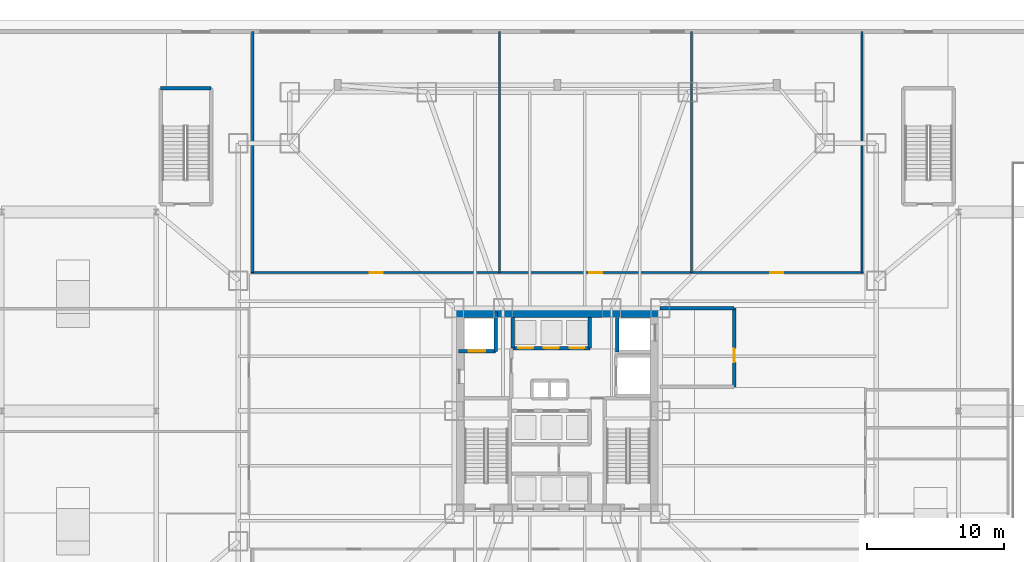
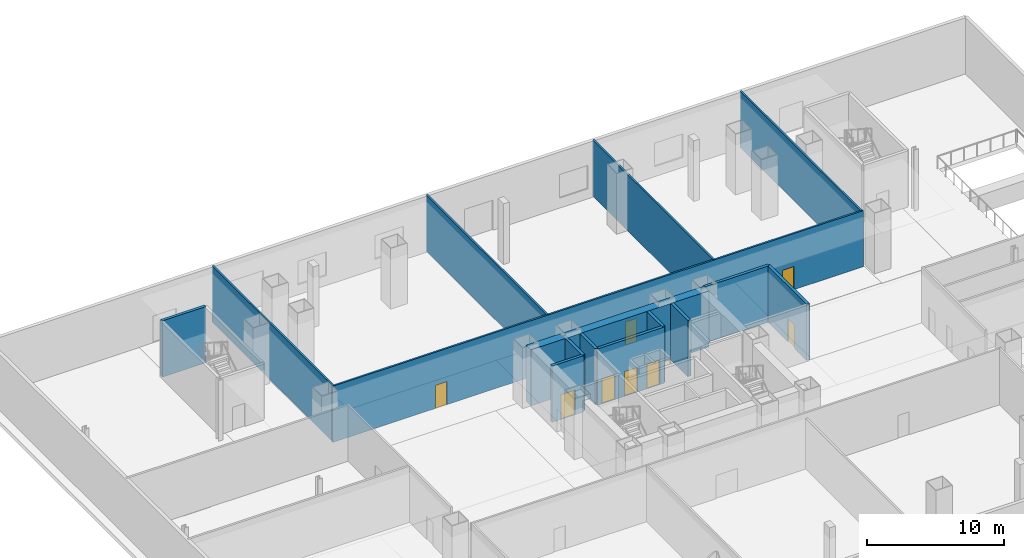
# One storey, part 9 of 24: 15 walls, 8 doors, 8 openings.
"""IFC4 building model written with IfcOpenShell, lengths in metres."""

import ifcopenshell
import ifcopenshell.guid

model = None  # the IFC model being written
_history = None  # IfcOwnerHistory: only IFC2X3 demands one
_inside = {}  # id of a spatial element -> (the spatial element, [elements in it])
_under = {}  # id of a project, library or spatial element -> (it, [spatial elements below it])
_declared = {}  # id of a project -> (the project, [libraries it declares])
_typed = {}  # id of a type object -> (the type object, [elements of that type])
_made_of = {}  # id of a material, layer set ... -> (it, [elements and type objects made of it])


def new_model(schema):
    """Start an empty IFC model of exactly this schema.

    Asked for "IFC4X3", IfcOpenShell would pick the latest addendum, in which some entities
    have other attributes; the version numbers below select the first issue.
    IFC2X3 requires an IfcOwnerHistory on every rooted entity: one is made here for all.
    """
    global model, _history
    if schema == "IFC4X3":
        model = ifcopenshell.file(schema_version=(4, 3, 0, 0))
    else:
        model = ifcopenshell.file(schema=schema)
    _inside.clear()
    _under.clear()
    _declared.clear()
    _typed.clear()
    _made_of.clear()
    _history = None
    if model.schema == "IFC2X3":
        org = make("IfcOrganization", Name="unknown")
        user = make(
            "IfcPersonAndOrganization",
            ThePerson=make("IfcPerson", FamilyName="unknown"),
            TheOrganization=org,
        )
        app = make(
            "IfcApplication",
            ApplicationDeveloper=org,
            Version="unknown",
            ApplicationFullName="unknown",
            ApplicationIdentifier="unknown",
        )
        _history = make(
            "IfcOwnerHistory",
            OwningUser=user,
            OwningApplication=app,
            ChangeAction="ADDED",
            CreationDate=0,
        )
    return model


def make(cls, **values):
    """One entity of the class cls with the attributes given. An attribute that is None is left unset."""
    return model.create_entity(
        cls, **{name: value for name, value in values.items() if value is not None}
    )


def rooted(cls, **values):
    """An entity with a GlobalId (a new one), such as an element, a storey or a relation."""
    return make(cls, GlobalId=ifcopenshell.guid.new(), OwnerHistory=_history, **values)


def si_unit(unit_type, name, prefix=None):
    """IfcSIUnit, for example si_unit("LENGTHUNIT", "METRE", prefix="MILLI")."""
    return make("IfcSIUnit", UnitType=unit_type, Prefix=prefix, Name=name)


def assignment(units):
    """IfcUnitAssignment: the units of a project."""
    return None if units is None else make("IfcUnitAssignment", Units=units)


def point(xyz):
    """IfcCartesianPoint."""
    return None if xyz is None else make("IfcCartesianPoint", Coordinates=xyz)


def direction(xyz):
    """IfcDirection."""
    return None if xyz is None else make("IfcDirection", DirectionRatios=xyz)


def frame(location, z_axis=None, x_axis=None):
    """IfcAxis2Placement3D, a coordinate frame: its origin and axes. An axis left out is left unset."""
    return make(
        "IfcAxis2Placement3D",
        Location=point(location),
        Axis=direction(z_axis),
        RefDirection=direction(x_axis),
    )


def frame_2d(location, x_axis=None):
    """IfcAxis2Placement2D, a coordinate frame in the plane: its origin and x axis."""
    return make(
        "IfcAxis2Placement2D", Location=point(location), RefDirection=direction(x_axis)
    )


def origin():
    """The frame at (0, 0, 0) with its axes left unset."""
    return frame((0.0, 0.0, 0.0))


def place(relative_to, where):
    """IfcLocalPlacement: puts the frame where relative to a parent placement (None: the world)."""
    return make(
        "IfcLocalPlacement", PlacementRelTo=relative_to, RelativePlacement=where
    )


def context(
    kind, dimensions, precision=None, world=None, true_north=None, identifier=None
):
    """IfcGeometricRepresentationContext, for example the 3D "Model" context."""
    return make(
        "IfcGeometricRepresentationContext",
        ContextIdentifier=identifier,
        ContextType=kind,
        CoordinateSpaceDimension=dimensions,
        Precision=precision,
        WorldCoordinateSystem=world,
        TrueNorth=true_north,
    )


def subcontext(parent, identifier, kind, view, scale=None):
    """IfcGeometricRepresentationSubContext, for example "Body" below "Model"."""
    return make(
        "IfcGeometricRepresentationSubContext",
        ContextIdentifier=identifier,
        ContextType=kind,
        ParentContext=parent,
        TargetScale=scale,
        TargetView=view,
    )


def project(units=None, contexts=None):
    """IfcProject with its units and contexts."""
    return rooted(
        "IfcProject",
        Name="project",
        RepresentationContexts=contexts,
        UnitsInContext=assignment(units),
    )


def spatial(cls, under=None, at=None, **own):
    """A site, building, storey or space (cls), placed at a placement, below another one or the project."""
    s = rooted(cls, ObjectPlacement=at, **own)
    if under is not None:
        _under.setdefault(under.id(), (under, []))[1].append(s)
    return s


def profile(cls, at=None, kind="AREA", **sizes):
    """A parametric profile (cls). Its sizes go by their IFC names, for example OverallWidth=200.0."""
    return make(cls, ProfileType=kind, Position=at, **sizes)


def rectangle(**sizes):
    """IfcRectangleProfileDef."""
    return profile("IfcRectangleProfileDef", **sizes)


def extrude(swept, where, along, depth):
    """IfcExtrudedAreaSolid: the profile swept, set in the frame where, extruded along a direction by depth."""
    return make(
        "IfcExtrudedAreaSolid",
        SweptArea=swept,
        Position=where,
        ExtrudedDirection=direction(along),
        Depth=depth,
    )


def shape(context_of_items, identifier, shape_type, items):
    """IfcShapeRepresentation: the items that make up one representation, for example the "Body"."""
    return make(
        "IfcShapeRepresentation",
        ContextOfItems=context_of_items,
        RepresentationIdentifier=identifier,
        RepresentationType=shape_type,
        Items=items,
    )


def material(Name=None, Category=None):
    """IfcMaterial."""
    return make("IfcMaterial", Name=Name, Category=Category)


def layer(
    of_material, thickness, ventilated=None, Name=None, Category=None, Priority=None
):
    """IfcMaterialLayer: one layer of a wall or slab, of a material (None: an air gap)."""
    return make(
        "IfcMaterialLayer",
        Material=of_material,
        LayerThickness=thickness,
        IsVentilated=ventilated,
        Name=Name,
        Category=Category,
        Priority=Priority,
    )


def layer_set(layers, Name=None):
    """IfcMaterialLayerSet."""
    return make("IfcMaterialLayerSet", MaterialLayers=layers, LayerSetName=Name)


def made_of(thing, what):
    """Note that an element or type object is made of a material, layer set ...; save() writes the relation."""
    if what is not None:
        _made_of.setdefault(what.id(), (what, []))[1].append(thing)
    return thing


def type_object(cls, material=None, **own):
    """A type object (cls), such as IfcWallType, which elements share."""
    return made_of(rooted(cls, **own), material)


def element(
    cls,
    number,
    at=None,
    inside=None,
    cuts=None,
    type_object=None,
    material=None,
    context=None,
    identifier="Body",
    shape_type=None,
    held_by="IfcProductDefinitionShape",
    body=None,
    shapes=None,
    **own,
):
    """One element of the class cls, such as IfcWall. Its Tag is "e" and its number.

    at: its placement. inside: the storey or other place that contains it. cuts: it is an
    opening in that element (IfcRelVoidsElement). A single representation is given by context,
    identifier, shape_type and body (its items); several are given by shapes. held_by: the class
    of the entity that holds the representations. save() writes the other relations.
    """
    e = rooted(cls, Tag="e%d" % number, ObjectPlacement=at, **own)
    if body is not None:
        shapes = [shape(context, identifier, shape_type, body)]
    if shapes is not None:
        e.Representation = make(held_by, Representations=shapes)
    if inside is not None:
        _inside.setdefault(inside.id(), (inside, []))[1].append(e)
    if cuts is not None:
        rooted(
            "IfcRelVoidsElement", RelatingBuildingElement=cuts, RelatedOpeningElement=e
        )
    if type_object is not None:
        _typed.setdefault(type_object.id(), (type_object, []))[1].append(e)
    return made_of(e, material)


def fill(opening, filler):
    """IfcRelFillsElement: the door or window that sits in an opening."""
    return rooted(
        "IfcRelFillsElement",
        RelatingOpeningElement=opening,
        RelatedBuildingElement=filler,
    )


def aggregate(whole, parts):
    """IfcRelAggregates: a whole, such as a stair, and the parts it consists of."""
    return rooted("IfcRelAggregates", RelatingObject=whole, RelatedObjects=parts)


def save(model, path):
    """Write the relations noted so far, then the file.

    IfcRelAggregates (storeys below a building ...), IfcRelContainedInSpatialStructure (elements
    in a storey), IfcRelDefinesByType, IfcRelAssociatesMaterial and IfcRelDeclares: one each for
    every whole, place, type object, material and project.
    """
    for whole, parts in _under.values():
        aggregate(whole, parts)
    for where, things in _inside.values():
        rooted(
            "IfcRelContainedInSpatialStructure",
            RelatedElements=things,
            RelatingStructure=where,
        )
    for kind, things in _typed.values():
        rooted("IfcRelDefinesByType", RelatedObjects=things, RelatingType=kind)
    for what, things in _made_of.values():
        rooted("IfcRelAssociatesMaterial", RelatedObjects=things, RelatingMaterial=what)
    for by, libraries in _declared.values():
        rooted("IfcRelDeclares", RelatingContext=by, RelatedDefinitions=libraries)
    model.write(path)


model = new_model("IFC4")

# Units and contexts
model_context = context("Model", 3, precision=1e-05, world=origin(), true_north=direction((0.0, 1.0)))
body_context = subcontext(model_context, "Body", "Model", "MODEL_VIEW")
ifc_project = project(units=[si_unit("LENGTHUNIT", "METRE"), si_unit("AREAUNIT", "SQUARE_METRE"), si_unit("VOLUMEUNIT", "CUBIC_METRE"), si_unit("PLANEANGLEUNIT", "RADIAN"), si_unit("MASSUNIT", "GRAM", prefix="KILO")], contexts=[model_context])

# Site, building, storey
site_placement = place(None, origin())
site = spatial("IfcSite", under=ifc_project, at=site_placement, CompositionType="ELEMENT")
building_placement = place(site_placement, origin())
building = spatial("IfcBuilding", under=site, at=building_placement, Name="Trevonay Congress Spire", CompositionType="ELEMENT")
storey_placement = place(building_placement, origin())
storey = spatial("IfcBuildingStorey", under=building, at=storey_placement, Name="L00", CompositionType="ELEMENT", Elevation=0.0)

# Wall
ifc_material_1 = material(Name="Concrete C60/75", Category="concrete")
ifc_layer_1 = layer(ifc_material_1, 0.699951171875, Name="Concrete C60/75")
ifc_layer_set_1 = layer_set([ifc_layer_1], Name="Concrete C60/75")
wall_type_1 = type_object("IfcWallType", Name="WAL-CORE-700", PredefinedType="SHEAR", material=ifc_layer_set_1)
wall_1_placement = place(storey_placement, frame((-7.5, 7.14990234375, 0.0), z_axis=(0.0, 0.0, 1.0), x_axis=(1.0, 0.0, 0.0)))
element("IfcWall", 1, at=wall_1_placement, inside=storey, type_object=wall_type_1, Name="L00 North structural core shear wall", PredefinedType="SHEAR", context=body_context, shape_type="SweptSolid", body=[
    extrude(rectangle(XDim=15.0, YDim=0.699951171875, at=frame_2d((7.5, 0.0))), origin(), (0.0, 0.0, 1.0), 5.0),
])

# Wall, openings, doors
ifc_material_2 = material(Name="Concrete C40/50", Category="concrete")
ifc_layer_2 = layer(ifc_material_2, 0.14990234375, Name="Concrete C40/50")
ifc_layer_set_2 = layer_set([ifc_layer_2], Name="Concrete C40/50")
wall_type_2 = type_object("IfcWallType", Name="WAL-CORR-150", PredefinedType="PARTITIONING", material=ifc_layer_set_2)
wall_2_placement = place(storey_placement, frame((-22.320068359375, 10.080078125, 0.0), z_axis=(0.0, 0.0, 1.0), x_axis=(1.0, 0.0, 0.0)))
wall_2 = element("IfcWall", 2, at=wall_2_placement, inside=storey, type_object=wall_type_2, Name="L00 interior wall WP-L00N-COR", PredefinedType="PARTITIONING", context=body_context, shape_type="SweptSolid", body=[
    extrude(rectangle(XDim=44.64013671875, YDim=0.14990234375, at=frame_2d((22.320068359375, 0.0))), origin(), (0.0, 0.0, 1.0), 5.0),
])
opening_1_placement = place(wall_2_placement, frame((8.64501953125, 0.0, 0.0)))
opening_1 = element("IfcOpeningElement", 3, at=opening_1_placement, cuts=wall_2, Name="Opening D07", PredefinedType="OPENING", context=body_context, shape_type="SweptSolid", body=[
    extrude(rectangle(XDim=0.949951171875, YDim=2.06005859375, at=frame_2d((0.47509765625, 1.030029296875))), frame((0.0, 0.0849609375, 0.0), z_axis=(0.0, -1.0, 0.0), x_axis=(1.0, 0.0, 0.0)), (0.0, 0.0, 1.0), 0.169921875),
])
opening_2_placement = place(wall_2_placement, frame((24.64501953125, 0.0, 0.0)))
opening_2 = element("IfcOpeningElement", 4, at=opening_2_placement, cuts=wall_2, Name="Opening D07", PredefinedType="OPENING", context=body_context, shape_type="SweptSolid", body=[
    extrude(rectangle(XDim=0.949951171875, YDim=2.06005859375, at=frame_2d((0.47509765625, 1.030029296875))), frame((0.0, 0.0849609375, 0.0), z_axis=(0.0, -1.0, 0.0), x_axis=(1.0, 0.0, 0.0)), (0.0, 0.0, 1.0), 0.169921875),
])
opening_3_placement = place(wall_2_placement, frame((37.844970703125, 0.0, 0.0)))
opening_3 = element("IfcOpeningElement", 5, at=opening_3_placement, cuts=wall_2, Name="Opening D07", PredefinedType="OPENING", context=body_context, shape_type="SweptSolid", body=[
    extrude(rectangle(XDim=0.949951171875, YDim=2.06005859375, at=frame_2d((0.47509765625, 1.030029296875))), frame((0.0, 0.0849609375, 0.0), z_axis=(0.0, -1.0, 0.0), x_axis=(1.0, 0.0, 0.0)), (0.0, 0.0, 1.0), 0.169921875),
])
ifc_material_3 = material(Name="Pale Anodised Aluminium EN AW-6063-T6", Category="aluminium")
door_type_1 = type_object("IfcDoorType", Name="DOR-OFFICE-95", OperationType="NOTDEFINED", PredefinedType="DOOR", material=ifc_material_3)
door_1_placement = place(opening_1_placement, origin())
door_1 = element("IfcDoor", 6, at=door_1_placement, inside=storey, type_object=door_type_1, Name="L00 VIP Diplomatic Drop-Off Foyer Door", OperationType="SINGLE_SWING_RIGHT", OverallHeight=2.06005859375, OverallWidth=0.949951171875, PredefinedType="DOOR", context=body_context, shape_type="SweptSolid", body=[
    extrude(rectangle(XDim=0.949951171875, YDim=2.06005859375, at=frame_2d((0.47509765625, 1.030029296875))), frame((0.0, 0.02490234375, 0.0), z_axis=(0.0, -1.0, 0.0), x_axis=(1.0, 0.0, 0.0)), (0.0, 0.0, 1.0), 0.050048828125),
])
fill(opening_1, door_1)
door_2_placement = place(opening_2_placement, origin())
door_2 = element("IfcDoor", 7, at=door_2_placement, inside=storey, type_object=door_type_1, Name="L00 Harbour Retail Arcade Door", OperationType="SINGLE_SWING_LEFT", OverallHeight=2.06005859375, OverallWidth=0.949951171875, PredefinedType="DOOR", context=body_context, shape_type="SweptSolid", body=[
    extrude(rectangle(XDim=0.949951171875, YDim=2.06005859375, at=frame_2d((0.47509765625, 1.030029296875))), frame((0.0, 0.02490234375, 0.0), z_axis=(0.0, -1.0, 0.0), x_axis=(1.0, 0.0, 0.0)), (0.0, 0.0, 1.0), 0.050048828125),
])
fill(opening_2, door_2)
door_3_placement = place(opening_3_placement, origin())
door_3 = element("IfcDoor", 8, at=door_3_placement, inside=storey, type_object=door_type_1, Name="L00 Accreditation Security Hall Door", OperationType="SINGLE_SWING_RIGHT", OverallHeight=2.06005859375, OverallWidth=0.949951171875, PredefinedType="DOOR", context=body_context, shape_type="SweptSolid", body=[
    extrude(rectangle(XDim=0.949951171875, YDim=2.06005859375, at=frame_2d((0.47509765625, 1.030029296875))), frame((0.0, 0.02490234375, 0.0), z_axis=(0.0, -1.0, 0.0), x_axis=(1.0, 0.0, 0.0)), (0.0, 0.0, 1.0), 0.050048828125),
])
fill(opening_3, door_3)

# Walls
ifc_layer_3 = layer(ifc_material_2, 0.14990234375, Name="Concrete C40/50")
ifc_layer_set_3 = layer_set([ifc_layer_3], Name="Concrete C40/50")
wall_type_3 = type_object("IfcWallType", Name="WAL-PART-150", PredefinedType="PARTITIONING", material=ifc_layer_set_3)
for number, where, z_axis, x_axis, name in (
    (9, (-22.199951171875, 10.080078125, 0.0), (0.0, 0.0, 1.0), (0.0, 1.0, 0.0), "L00 interior wall WP-L00N-DIV1"),
    (10, (-4.199951171875, 10.080078125, 0.0), (0.0, 0.0, 1.0), (0.0, 1.0, 0.0), "L00 interior wall WP-L00N-DIV2"),
    (11, (9.800048828125, 10.080078125, 0.0), (0.0, 0.0, 1.0), (0.0, 1.0, 0.0), "L00 interior wall WP-L00N-DIV3"),
    (12, (22.199951171875, 10.080078125, 0.0), (0.0, 0.0, 1.0), (0.0, 1.0, 0.0), "L00 interior wall WP-L00N-DIV4"),
):
    element("IfcWall", number, at=place(storey_placement, frame(where, z_axis=z_axis, x_axis=x_axis)), inside=storey, type_object=wall_type_3, Name=name, PredefinedType="PARTITIONING", context=body_context, shape_type="SweptSolid", body=[
        extrude(rectangle(XDim=17.56982421875, YDim=0.14990234375, at=frame_2d((8.784912109375, 0.0))), origin(), (0.0, 0.0, 1.0), 5.0),
    ])

# Wall, openings, doors
ifc_layer_4 = layer(ifc_material_2, 0.25, Name="Concrete C40/50")
ifc_layer_set_4 = layer_set([ifc_layer_4], Name="Concrete C40/50")
wall_type_4 = type_object("IfcWallType", Name="WAL-SHAFT-250", PredefinedType="SHEAR", material=ifc_layer_set_4)
wall_3_placement = place(storey_placement, frame((-3.260009765625, 4.580078125, 0.0), z_axis=(0.0, 0.0, 1.0), x_axis=(1.0, 0.0, 0.0)))
wall_3 = element("IfcWall", 13, at=wall_3_placement, inside=storey, type_object=wall_type_4, Name="L00 interior shaft wall WSH-L00-B3-S", PredefinedType="SHEAR", context=body_context, shape_type="SweptSolid", body=[
    extrude(rectangle(XDim=5.639892578125, YDim=0.25, at=frame_2d((2.81982421875, 0.0))), origin(), (0.0, 0.0, 1.0), 5.0),
])
opening_4_placement = place(wall_3_placement, frame((0.39990234375, 0.0, 0.0)))
opening_4 = element("IfcOpeningElement", 14, at=opening_4_placement, cuts=wall_3, Name="Opening LD03", PredefinedType="OPENING", context=body_context, shape_type="SweptSolid", body=[
    extrude(rectangle(XDim=1.10009765625, YDim=2.199951171875, at=frame_2d((0.550048828125, 1.10009765625))), frame((0.0, 0.135009765625, 0.0), z_axis=(0.0, -1.0, 0.0), x_axis=(1.0, 0.0, 0.0)), (0.0, 0.0, 1.0), 0.27001953125),
])
opening_5_placement = place(wall_3_placement, frame((2.280029296875, 0.0, 0.0)))
opening_5 = element("IfcOpeningElement", 15, at=opening_5_placement, cuts=wall_3, Name="Opening LD03", PredefinedType="OPENING", context=body_context, shape_type="SweptSolid", body=[
    extrude(rectangle(XDim=1.10009765625, YDim=2.199951171875, at=frame_2d((0.550048828125, 1.10009765625))), frame((0.0, 0.135009765625, 0.0), z_axis=(0.0, -1.0, 0.0), x_axis=(1.0, 0.0, 0.0)), (0.0, 0.0, 1.0), 0.27001953125),
])
opening_6_placement = place(wall_3_placement, frame((4.159912109375, 0.0, 0.0)))
opening_6 = element("IfcOpeningElement", 16, at=opening_6_placement, cuts=wall_3, Name="Opening LD03", PredefinedType="OPENING", context=body_context, shape_type="SweptSolid", body=[
    extrude(rectangle(XDim=1.10009765625, YDim=2.199951171875, at=frame_2d((0.550048828125, 1.10009765625))), frame((0.0, 0.135009765625, 0.0), z_axis=(0.0, -1.0, 0.0), x_axis=(1.0, 0.0, 0.0)), (0.0, 0.0, 1.0), 0.27001953125),
])
door_type_2 = type_object("IfcDoorType", Name="DOR-LIFT-LD03", OperationType="DOUBLE_DOOR_SLIDING", PredefinedType="DOOR", material=ifc_material_3)
door_4_placement = place(opening_4_placement, origin())
door_4 = element("IfcDoor", 17, at=door_4_placement, inside=storey, type_object=door_type_2, Name="L00 Passenger lift PL-07 landing door", OperationType="DOUBLE_DOOR_SLIDING", OverallHeight=2.199951171875, OverallWidth=1.10009765625, PredefinedType="DOOR", context=body_context, shape_type="SweptSolid", body=[
    extrude(rectangle(XDim=1.10009765625, YDim=2.199951171875, at=frame_2d((0.550048828125, 1.10009765625))), frame((0.0, 0.02490234375, 0.0), z_axis=(0.0, -1.0, 0.0), x_axis=(1.0, 0.0, 0.0)), (0.0, 0.0, 1.0), 0.050048828125),
])
fill(opening_4, door_4)
door_5_placement = place(opening_5_placement, origin())
door_5 = element("IfcDoor", 18, at=door_5_placement, inside=storey, type_object=door_type_2, Name="L00 Passenger lift PL-08 landing door", OperationType="DOUBLE_DOOR_SLIDING", OverallHeight=2.199951171875, OverallWidth=1.10009765625, PredefinedType="DOOR", context=body_context, shape_type="SweptSolid", body=[
    extrude(rectangle(XDim=1.10009765625, YDim=2.199951171875, at=frame_2d((0.550048828125, 1.10009765625))), frame((0.0, 0.02490234375, 0.0), z_axis=(0.0, -1.0, 0.0), x_axis=(1.0, 0.0, 0.0)), (0.0, 0.0, 1.0), 0.050048828125),
])
fill(opening_5, door_5)
door_6_placement = place(opening_6_placement, origin())
door_6 = element("IfcDoor", 19, at=door_6_placement, inside=storey, type_object=door_type_2, Name="L00 Passenger lift PL-09 landing door", OperationType="DOUBLE_DOOR_SLIDING", OverallHeight=2.199951171875, OverallWidth=1.10009765625, PredefinedType="DOOR", context=body_context, shape_type="SweptSolid", body=[
    extrude(rectangle(XDim=1.10009765625, YDim=2.199951171875, at=frame_2d((0.550048828125, 1.10009765625))), frame((0.0, 0.02490234375, 0.0), z_axis=(0.0, -1.0, 0.0), x_axis=(1.0, 0.0, 0.0)), (0.0, 0.0, 1.0), 0.050048828125),
])
fill(opening_6, door_6)

# Walls
for number, where, z_axis, x_axis, name in (
    (20, (-3.260009765625, 4.580078125, 0.0), (0.0, 0.0, 1.0), (0.0, 1.0, 0.0), "L00 interior shaft wall WSH-L00-B3-W"),
    (21, (2.3798828125, 4.580078125, 0.0), (0.0, 0.0, 1.0), (0.0, 1.0, 0.0), "L00 interior shaft wall WSH-L00-B3-E"),
):
    element("IfcWall", number, at=place(storey_placement, frame(where, z_axis=z_axis, x_axis=x_axis)), inside=storey, type_object=wall_type_4, Name=name, PredefinedType="SHEAR", context=body_context, shape_type="SweptSolid", body=[
        extrude(rectangle(XDim=2.219970703125, YDim=0.25, at=frame_2d((1.10986328125, 0.0))), origin(), (0.0, 0.0, 1.0), 5.0),
    ])

# Wall, opening, door
wall_4_placement = place(storey_placement, frame((-7.199951171875, 4.35009765625, 0.0), z_axis=(0.0, 0.0, 1.0), x_axis=(1.0, 0.0, 0.0)))
wall_4 = element("IfcWall", 22, at=wall_4_placement, inside=storey, type_object=wall_type_4, Name="L00 interior shaft wall WSH-L00-FF1-S", PredefinedType="SHEAR", context=body_context, shape_type="SweptSolid", body=[
    extrude(rectangle(XDim=2.699951171875, YDim=0.25, at=frame_2d((1.35009765625, 0.0))), origin(), (0.0, 0.0, 1.0), 5.0),
])
opening_7_placement = place(wall_4_placement, frame((0.75, 0.0, 0.0)))
opening_7 = element("IfcOpeningElement", 23, at=opening_7_placement, cuts=wall_4, Name="Opening LD04", PredefinedType="OPENING", context=body_context, shape_type="SweptSolid", body=[
    extrude(rectangle(XDim=1.199951171875, YDim=2.199951171875, at=frame_2d((0.60009765625, 1.10009765625))), frame((0.0, 0.135009765625, 0.0), z_axis=(0.0, -1.0, 0.0), x_axis=(1.0, 0.0, 0.0)), (0.0, 0.0, 1.0), 0.27001953125),
])
ifc_material_4 = material(Name="Steel ASTM A572 Grade 50", Category="steel")
door_type_3 = type_object("IfcDoorType", Name="DOR-LIFT-LD04", OperationType="DOUBLE_DOOR_SLIDING", PredefinedType="DOOR", material=ifc_material_4)
door_7_placement = place(opening_7_placement, origin())
door_7 = element("IfcDoor", 24, at=door_7_placement, inside=storey, type_object=door_type_3, Name="L00 Firefighting lift FFL-01 landing door", OperationType="DOUBLE_DOOR_SLIDING", OverallHeight=2.199951171875, OverallWidth=1.199951171875, PredefinedType="DOOR", context=body_context, shape_type="SweptSolid", body=[
    extrude(rectangle(XDim=1.199951171875, YDim=2.199951171875, at=frame_2d((0.60009765625, 1.10009765625))), frame((0.0, 0.02490234375, 0.0), z_axis=(0.0, -1.0, 0.0), x_axis=(1.0, 0.0, 0.0)), (0.0, 0.0, 1.0), 0.050048828125),
])
fill(opening_7, door_7)

# Walls
wall_5_placement = place(storey_placement, frame((-4.5, 4.35009765625, 0.0), z_axis=(0.0, 0.0, 1.0), x_axis=(0.0, 1.0, 0.0)))
element("IfcWall", 25, at=wall_5_placement, inside=storey, type_object=wall_type_4, Name="L00 interior shaft wall WSH-L00-FF1-E", PredefinedType="SHEAR", context=body_context, shape_type="SweptSolid", body=[
    extrude(rectangle(XDim=2.849853515625, YDim=0.25, at=frame_2d((1.4248046875, 0.0))), origin(), (0.0, 0.0, 1.0), 5.0),
])
wall_6_placement = place(storey_placement, frame((4.3798828125, 4.300048828125, 0.0), z_axis=(0.0, 0.0, 1.0), x_axis=(0.0, 1.0, 0.0)))
element("IfcWall", 26, at=wall_6_placement, inside=storey, type_object=wall_type_4, Name="L00 interior shaft wall WSH-L00-FF2-W", PredefinedType="SHEAR", context=body_context, shape_type="SweptSolid", body=[
    extrude(rectangle(XDim=2.5, YDim=0.25, at=frame_2d((1.25, 0.0))), origin(), (0.0, 0.0, 1.0), 5.0),
])

# Wall, opening, door
wall_7_placement = place(storey_placement, frame((12.89990234375, 1.75, 0.0), z_axis=(0.0, 0.0, 1.0), x_axis=(0.0, 1.0, 0.0)))
wall_7 = element("IfcWall", 27, at=wall_7_placement, inside=storey, type_object=wall_type_4, Name="L00 interior wall WP-L00-FFLE-E", PredefinedType="SHEAR", context=body_context, shape_type="SweptSolid", body=[
    extrude(rectangle(XDim=5.75, YDim=0.25, at=frame_2d((2.875, 0.0))), origin(), (0.0, 0.0, 1.0), 5.0),
])
opening_8_placement = place(wall_7_placement, frame((1.800048828125, 0.0, 0.0)))
opening_8 = element("IfcOpeningElement", 28, at=opening_8_placement, cuts=wall_7, Name="Opening D06", PredefinedType="OPENING", context=body_context, shape_type="SweptSolid", body=[
    extrude(rectangle(XDim=1.0, YDim=2.080078125, at=frame_2d((0.5, 1.0400390625))), frame((0.0, 0.135009765625, 0.0), z_axis=(0.0, -1.0, 0.0), x_axis=(1.0, 0.0, 0.0)), (0.0, 0.0, 1.0), 0.27001953125),
])
door_type_4 = type_object("IfcDoorType", Name="DOR-FIRE-100", OperationType="NOTDEFINED", PredefinedType="DOOR", material=ifc_material_4)
door_8_placement = place(opening_8_placement, origin())
door_8 = element("IfcDoor", 29, at=door_8_placement, inside=storey, type_object=door_type_4, Name="L00 L00 Firefighting Lobby East Door", OperationType="SINGLE_SWING_LEFT", OverallHeight=2.080078125, OverallWidth=1.0, PredefinedType="DOOR", context=body_context, shape_type="SweptSolid", body=[
    extrude(rectangle(XDim=1.0, YDim=2.080078125, at=frame_2d((0.5, 1.0400390625))), frame((0.0, 0.02490234375, 0.0), z_axis=(0.0, -1.0, 0.0), x_axis=(1.0, 0.0, 0.0)), (0.0, 0.0, 1.0), 0.050048828125),
])
fill(opening_8, door_8)

# Walls
wall_8_placement = place(storey_placement, frame((7.5, 7.5, 0.0), z_axis=(0.0, 0.0, 1.0), x_axis=(1.0, 0.0, 0.0)))
element("IfcWall", 30, at=wall_8_placement, inside=storey, type_object=wall_type_4, Name="L00 interior wall WP-L00-FFLE-N", PredefinedType="SHEAR", context=body_context, shape_type="SweptSolid", body=[
    extrude(rectangle(XDim=5.39990234375, YDim=0.25, at=frame_2d((2.699951171875, 0.0))), origin(), (0.0, 0.0, 1.0), 5.0),
])
ifc_layer_5 = layer(ifc_material_2, 0.25, Name="Concrete C40/50")
ifc_layer_set_5 = layer_set([ifc_layer_5], Name="Concrete C40/50")
wall_type_5 = type_object("IfcWallType", Name="WAL-SHAFT-LB-250", PredefinedType="SHEAR", material=ifc_layer_set_5)
wall_9_placement = place(storey_placement, frame((-28.919921875, 23.52001953125, 0.0), z_axis=(0.0, 0.0, 1.0), x_axis=(1.0, 0.0, 0.0)))
element("IfcWall", 31, at=wall_9_placement, inside=storey, type_object=wall_type_5, Name="L00 interior shaft wall WSH-L00-ST-5-N", PredefinedType="SHEAR", context=body_context, shape_type="SweptSolid", body=[
    extrude(rectangle(XDim=3.68994140625, YDim=0.25, at=frame_2d((1.844970703125, 0.0))), origin(), (0.0, 0.0, 1.0), 5.0),
])

save(model, "model.ifc")
